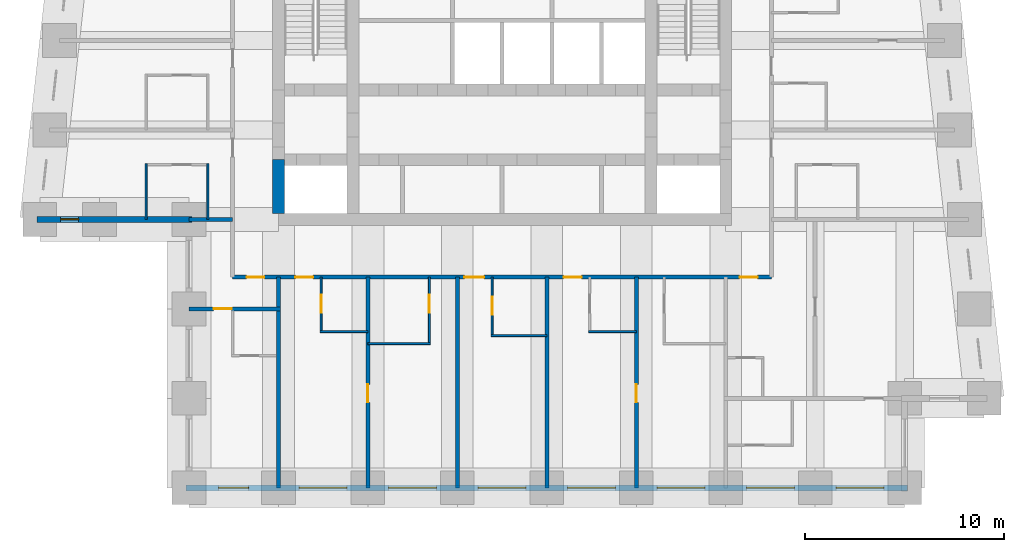
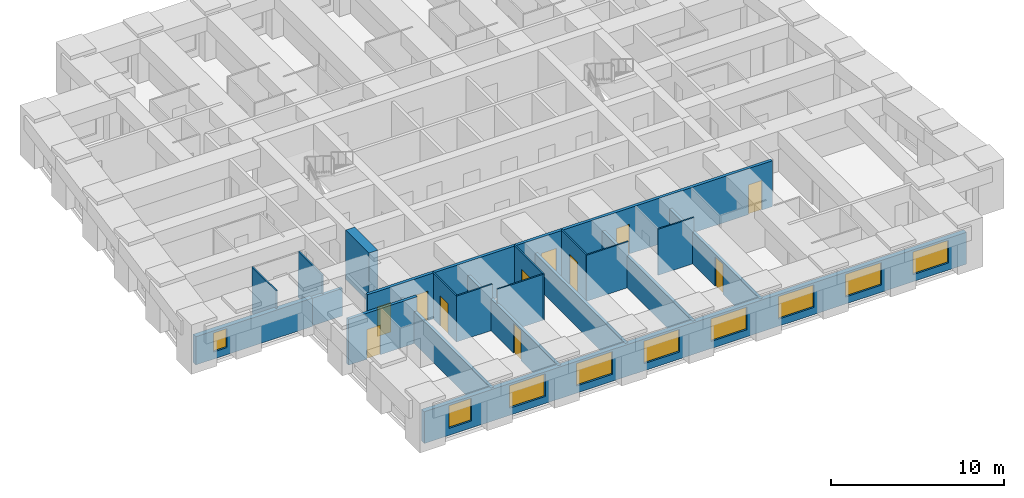
# One storey, part 2 of 8: 20 walls, 11 doors, 9 windows, 20 openings.
"""IFC4 building model written with IfcOpenShell, lengths in metres."""

from ifc_helpers import new_model, si_unit, direction, frame, frame_2d, origin, place, context, subcontext, project, spatial, rectangle, extrude, material, layer, layer_set, type_object, element, fill, save


model = new_model("IFC4")

# Units and contexts
model_context = context("Model", 3, precision=1e-05, world=origin(), true_north=direction((0.0, 1.0)))
body_context = subcontext(model_context, "Body", "Model", "MODEL_VIEW")
ifc_project = project(units=[si_unit("LENGTHUNIT", "METRE"), si_unit("AREAUNIT", "SQUARE_METRE"), si_unit("VOLUMEUNIT", "CUBIC_METRE"), si_unit("PLANEANGLEUNIT", "RADIAN"), si_unit("MASSUNIT", "GRAM", prefix="KILO")], contexts=[model_context])

# Site, building, storey
site_placement = place(None, origin())
site = spatial("IfcSite", under=ifc_project, at=site_placement, CompositionType="ELEMENT")
building_placement = place(site_placement, origin())
building = spatial("IfcBuilding", under=site, at=building_placement, Name="Kilele Tower Hotel", CompositionType="ELEMENT")
storey_placement = place(building_placement, frame((0.0, 0.0, 162.39990234375)))
storey = spatial("IfcBuildingStorey", under=building, at=storey_placement, Name="L41", CompositionType="ELEMENT", Elevation=162.39990234375)

# Wall
ifc_material_1 = material(Name="Moisture-resistant board")
ifc_layer_1 = layer(ifc_material_1, 0.10009765625)
ifc_layer_set_1 = layer_set([ifc_layer_1], Name="Moisture-resistant board")
wall_type_1 = type_object("IfcWallType", Name="Bathroom partition 100", PredefinedType="PLUMBINGWALL", material=ifc_layer_set_1)
wall_1_placement = place(storey_placement, frame((15.60009765625, 7.85009765625, 0.0), z_axis=(0.0, 0.0, 1.0), x_axis=(1.0, 0.0, 0.0)))
element("IfcWall", 1, at=wall_1_placement, inside=storey, type_object=wall_type_1, Name="Bathroom partition 100 L41", PredefinedType="PLUMBINGWALL", context=body_context, shape_type="SweptSolid", body=[
    extrude(rectangle(XDim=2.39990234375, YDim=0.10009765625, at=frame_2d((1.199951171875, 0.0))), origin(), (0.0, 0.0, 1.0), 3.25),
])

# Wall, opening, door
wall_2_placement = place(storey_placement, frame((15.64990234375, 10.60009765625, 0.0), z_axis=(0.0, 0.0, 1.0), x_axis=(0.0, -1.0, 0.0)))
wall_2 = element("IfcWall", 2, at=wall_2_placement, inside=storey, type_object=wall_type_1, Name="Bathroom partition 100 L41", PredefinedType="PLUMBINGWALL", context=body_context, shape_type="SweptSolid", body=[
    extrude(rectangle(XDim=2.800048828125, YDim=0.10009765625, at=frame_2d((1.39990234375, 0.0))), origin(), (0.0, 0.0, 1.0), 3.25),
])
opening_1_placement = place(wall_2_placement, frame((1.7998046875, 0.0, 0.0), z_axis=(0.0, 0.0, 1.0), x_axis=(-1.0, 0.0, 0.0)))
opening_1 = element("IfcOpeningElement", 3, at=opening_1_placement, cuts=wall_2, Name="Opening D2A", PredefinedType="OPENING", context=body_context, shape_type="SweptSolid", body=[
    extrude(rectangle(XDim=0.89990234375, YDim=2.10009765625, at=frame_2d((0.449951171875, 1.050048828125))), frame((0.0, 0.06005859375, 0.0), z_axis=(0.0, -1.0, 0.0), x_axis=(1.0, 0.0, 0.0)), (0.0, 0.0, 1.0), 0.1201171875),
])
ifc_material_2 = material(Name="Timber door leaf in hardwood frame", Category="wood")
door_type_1 = type_object("IfcDoorType", Name="Bathroom door 900", OperationType="SINGLE_SWING_LEFT", PredefinedType="DOOR", material=ifc_material_2)
door_1_placement = place(opening_1_placement, origin())
door_1 = element("IfcDoor", 4, at=door_1_placement, inside=storey, type_object=door_type_1, Name="Bathroom door 4101B", OperationType="SINGLE_SWING_RIGHT", OverallHeight=2.10009765625, OverallWidth=0.89990234375, PredefinedType="DOOR", context=body_context, shape_type="SweptSolid", body=[
    extrude(rectangle(XDim=0.89990234375, YDim=2.10009765625, at=frame_2d((0.449951171875, 1.050048828125))), frame((0.0, 0.02490234375, 0.0), z_axis=(0.0, -1.0, 0.0), x_axis=(1.0, 0.0, 0.0)), (0.0, 0.0, 1.0), 0.050048828125),
])
fill(opening_1, door_1)

# Wall
wall_3_placement = place(storey_placement, frame((18.0, 7.25, 0.0), z_axis=(0.0, 0.0, 1.0), x_axis=(1.0, 0.0, 0.0)))
element("IfcWall", 5, at=wall_3_placement, inside=storey, type_object=wall_type_1, Name="Bathroom partition 100 L41", PredefinedType="PLUMBINGWALL", context=body_context, shape_type="SweptSolid", body=[
    extrude(rectangle(XDim=3.14990234375, YDim=0.10009765625, at=frame_2d((1.574951171875, 0.0))), origin(), (0.0, 0.0, 1.0), 3.25),
])

# Wall, opening, door
wall_4_placement = place(storey_placement, frame((21.10009765625, 10.60009765625, 0.0), z_axis=(0.0, 0.0, 1.0), x_axis=(0.0, -1.0, 0.0)))
wall_4 = element("IfcWall", 6, at=wall_4_placement, inside=storey, type_object=wall_type_1, Name="Bathroom partition 100 L41", PredefinedType="PLUMBINGWALL", context=body_context, shape_type="SweptSolid", body=[
    extrude(rectangle(XDim=3.400146484375, YDim=0.10009765625, at=frame_2d((1.7001953125, 0.0))), origin(), (0.0, 0.0, 1.0), 3.25),
])
opening_2_placement = place(wall_4_placement, frame((0.89990234375, 0.0, 0.0)))
opening_2 = element("IfcOpeningElement", 7, at=opening_2_placement, cuts=wall_4, Name="Opening D2A", PredefinedType="OPENING", context=body_context, shape_type="SweptSolid", body=[
    extrude(rectangle(XDim=0.89990234375, YDim=2.10009765625, at=frame_2d((0.449951171875, 1.050048828125))), frame((0.0, 0.06005859375, 0.0), z_axis=(0.0, -1.0, 0.0), x_axis=(1.0, 0.0, 0.0)), (0.0, 0.0, 1.0), 0.1201171875),
])
door_2_placement = place(opening_2_placement, origin())
door_2 = element("IfcDoor", 8, at=door_2_placement, inside=storey, type_object=door_type_1, Name="Bathroom door 4102B", OperationType="SINGLE_SWING_LEFT", OverallHeight=2.10009765625, OverallWidth=0.89990234375, PredefinedType="DOOR", context=body_context, shape_type="SweptSolid", body=[
    extrude(rectangle(XDim=0.89990234375, YDim=2.10009765625, at=frame_2d((0.449951171875, 1.050048828125))), frame((0.0, 0.02490234375, 0.0), z_axis=(0.0, -1.0, 0.0), x_axis=(1.0, 0.0, 0.0)), (0.0, 0.0, 1.0), 0.050048828125),
])
fill(opening_2, door_2)

# Wall
wall_5_placement = place(storey_placement, frame((24.199951171875, 7.64990234375, 0.0), z_axis=(0.0, 0.0, 1.0), x_axis=(1.0, 0.0, 0.0)))
element("IfcWall", 9, at=wall_5_placement, inside=storey, type_object=wall_type_1, Name="Bathroom partition 100 L41", PredefinedType="PLUMBINGWALL", context=body_context, shape_type="SweptSolid", body=[
    extrude(rectangle(XDim=2.800048828125, YDim=0.10009765625, at=frame_2d((1.39990234375, 0.0))), origin(), (0.0, 0.0, 1.0), 3.25),
])

# Wall, opening, door
wall_6_placement = place(storey_placement, frame((24.25, 10.60009765625, 0.0), z_axis=(0.0, 0.0, 1.0), x_axis=(0.0, -1.0, 0.0)))
wall_6 = element("IfcWall", 10, at=wall_6_placement, inside=storey, type_object=wall_type_1, Name="Bathroom partition 100 L41", PredefinedType="PLUMBINGWALL", context=body_context, shape_type="SweptSolid", body=[
    extrude(rectangle(XDim=3.0, YDim=0.10009765625, at=frame_2d((1.5, 0.0))), origin(), (0.0, 0.0, 1.0), 3.25),
])
opening_3_placement = place(wall_6_placement, frame((1.89990234375, 0.0, 0.0), z_axis=(0.0, 0.0, 1.0), x_axis=(-1.0, 0.0, 0.0)))
opening_3 = element("IfcOpeningElement", 11, at=opening_3_placement, cuts=wall_6, Name="Opening D2A", PredefinedType="OPENING", context=body_context, shape_type="SweptSolid", body=[
    extrude(rectangle(XDim=0.89990234375, YDim=2.10009765625, at=frame_2d((0.449951171875, 1.050048828125))), frame((0.0, 0.06005859375, 0.0), z_axis=(0.0, -1.0, 0.0), x_axis=(1.0, 0.0, 0.0)), (0.0, 0.0, 1.0), 0.1201171875),
])
door_3_placement = place(opening_3_placement, origin())
door_3 = element("IfcDoor", 12, at=door_3_placement, inside=storey, type_object=door_type_1, Name="Bathroom door 4103B", OperationType="SINGLE_SWING_RIGHT", OverallHeight=2.10009765625, OverallWidth=0.89990234375, PredefinedType="DOOR", context=body_context, shape_type="SweptSolid", body=[
    extrude(rectangle(XDim=0.89990234375, YDim=2.10009765625, at=frame_2d((0.449951171875, 1.050048828125))), frame((0.0, 0.02490234375, 0.0), z_axis=(0.0, -1.0, 0.0), x_axis=(1.0, 0.0, 0.0)), (0.0, 0.0, 1.0), 0.050048828125),
])
fill(opening_3, door_3)

# Walls
wall_7_placement = place(storey_placement, frame((29.10009765625, 7.85009765625, 0.0), z_axis=(0.0, 0.0, 1.0), x_axis=(1.0, 0.0, 0.0)))
element("IfcWall", 13, at=wall_7_placement, inside=storey, type_object=wall_type_1, Name="Bathroom partition 100 L41", PredefinedType="PLUMBINGWALL", context=body_context, shape_type="SweptSolid", body=[
    extrude(rectangle(XDim=2.39990234375, YDim=0.10009765625, at=frame_2d((1.199951171875, 0.0))), origin(), (0.0, 0.0, 1.0), 3.25),
])
for number, where, z_axis, x_axis, name in (
    (14, (9.949951171875, 13.5, 0.0), (0.0, 0.0, 1.0), (0.0, 1.0, 0.0), "Bathroom partition 100 L41"),
    (15, (6.85009765625, 13.5, 0.0), (0.0, 0.0, 1.0), (0.0, 1.0, 0.0), "Bathroom partition 100 L41"),
):
    element("IfcWall", number, at=place(storey_placement, frame(where, z_axis=z_axis, x_axis=x_axis)), inside=storey, type_object=wall_type_1, Name=name, PredefinedType="PLUMBINGWALL", context=body_context, shape_type="SweptSolid", body=[
        extrude(rectangle(XDim=2.800048828125, YDim=0.10009765625, at=frame_2d((1.39990234375, 0.0))), origin(), (0.0, 0.0, 1.0), 3.25),
    ])
ifc_material_3 = material(Name="Concrete C70/85", Category="concrete")
ifc_layer_2 = layer(ifc_material_3, 0.60009765625)
ifc_layer_set_2 = layer_set([ifc_layer_2], Name="Concrete C70/85")
wall_type_2 = type_object("IfcWallType", Name="Core wall 600 C70/85", PredefinedType="SHEAR", material=ifc_layer_set_2)
wall_8_placement = place(storey_placement, frame((13.5, 16.5, 0.0), z_axis=(0.0, 0.0, 1.0), x_axis=(0.0, -1.0, 0.0)))
element("IfcWall", 16, at=wall_8_placement, inside=storey, type_object=wall_type_2, Name="Core wall W3 L41", PredefinedType="SHEAR", context=body_context, shape_type="SweptSolid", body=[
    extrude(rectangle(XDim=2.699951171875, YDim=0.60009765625, at=frame_2d((1.35009765625, 0.0))), origin(), (0.0, 0.0, 1.0), 3.5),
])

# Wall, openings, doors
ifc_material_4 = material(Name="Blockwork, plastered both sides", Category="masonry")
ifc_layer_3 = layer(ifc_material_4, 0.199951171875)
ifc_layer_set_3 = layer_set([ifc_layer_3], Name="Blockwork, plastered both sides")
wall_type_3 = type_object("IfcWallType", Name="Corridor wall 200", PredefinedType="PARTITIONING", material=ifc_layer_set_3)
wall_9_placement = place(storey_placement, frame((11.199951171875, 10.60009765625, 0.0), z_axis=(0.0, 0.0, 1.0), x_axis=(1.0, 0.0, 0.0)))
wall_9 = element("IfcWall", 17, at=wall_9_placement, inside=storey, type_object=wall_type_3, Name="Corridor wall 200 L41", PredefinedType="PARTITIONING", context=body_context, shape_type="SweptSolid", body=[
    extrude(rectangle(XDim=27.10009765625, YDim=0.199951171875, at=frame_2d((13.550048828125, 0.0))), origin(), (0.0, 0.0, 1.0), 3.25),
])
opening_4_placement = place(wall_9_placement, frame((4.0498046875, 0.0, 0.0), z_axis=(0.0, 0.0, 1.0), x_axis=(-1.0, 0.0, 0.0)))
opening_4 = element("IfcOpeningElement", 18, at=opening_4_placement, cuts=wall_9, Name="Opening D1", PredefinedType="OPENING", context=body_context, shape_type="SweptSolid", body=[
    extrude(rectangle(XDim=0.89990234375, YDim=2.10009765625, at=frame_2d((0.449951171875, 1.050048828125))), frame((0.0, 0.10986328125, 0.0), z_axis=(0.0, -1.0, 0.0), x_axis=(1.0, 0.0, 0.0)), (0.0, 0.0, 1.0), 0.219970703125),
])
opening_5_placement = place(wall_9_placement, frame((12.64990234375, 0.0, 0.0), z_axis=(0.0, 0.0, 1.0), x_axis=(-1.0, 0.0, 0.0)))
opening_5 = element("IfcOpeningElement", 19, at=opening_5_placement, cuts=wall_9, Name="Opening D1A", PredefinedType="OPENING", context=body_context, shape_type="SweptSolid", body=[
    extrude(rectangle(XDim=1.0, YDim=2.10009765625, at=frame_2d((0.5, 1.050048828125))), frame((0.0, 0.10986328125, 0.0), z_axis=(0.0, -1.0, 0.0), x_axis=(1.0, 0.0, 0.0)), (0.0, 0.0, 1.0), 0.219970703125),
])
opening_6_placement = place(wall_9_placement, frame((17.5498046875, 0.0, 0.0), z_axis=(0.0, 0.0, 1.0), x_axis=(-1.0, 0.0, 0.0)))
opening_6 = element("IfcOpeningElement", 20, at=opening_6_placement, cuts=wall_9, Name="Opening D1", PredefinedType="OPENING", context=body_context, shape_type="SweptSolid", body=[
    extrude(rectangle(XDim=0.89990234375, YDim=2.10009765625, at=frame_2d((0.449951171875, 1.050048828125))), frame((0.0, 0.10986328125, 0.0), z_axis=(0.0, -1.0, 0.0), x_axis=(1.0, 0.0, 0.0)), (0.0, 0.0, 1.0), 0.219970703125),
])
opening_7_placement = place(wall_9_placement, frame((1.599853515625, 0.0, 0.0), z_axis=(0.0, 0.0, 1.0), x_axis=(-1.0, 0.0, 0.0)))
opening_7 = element("IfcOpeningElement", 21, at=opening_7_placement, cuts=wall_9, Name="Opening D1", PredefinedType="OPENING", context=body_context, shape_type="SweptSolid", body=[
    extrude(rectangle(XDim=0.89990234375, YDim=2.10009765625, at=frame_2d((0.449951171875, 1.050048828125))), frame((0.0, 0.10986328125, 0.0), z_axis=(0.0, -1.0, 0.0), x_axis=(1.0, 0.0, 0.0)), (0.0, 0.0, 1.0), 0.219970703125),
])
opening_8_placement = place(wall_9_placement, frame((26.39990234375, 0.0, 0.0), z_axis=(0.0, 0.0, 1.0), x_axis=(-1.0, 0.0, 0.0)))
opening_8 = element("IfcOpeningElement", 22, at=opening_8_placement, cuts=wall_9, Name="Opening D1", PredefinedType="OPENING", context=body_context, shape_type="SweptSolid", body=[
    extrude(rectangle(XDim=0.89990234375, YDim=2.10009765625, at=frame_2d((0.449951171875, 1.050048828125))), frame((0.0, 0.10986328125, 0.0), z_axis=(0.0, -1.0, 0.0), x_axis=(1.0, 0.0, 0.0)), (0.0, 0.0, 1.0), 0.219970703125),
])
ifc_material_5 = material(Name="Timber door leaf in hardwood frame", Category="wood")
door_type_2 = type_object("IfcDoorType", Name="Guest room entrance door 1000", OperationType="SINGLE_SWING_LEFT", PredefinedType="DOOR", material=ifc_material_5)
door_4_placement = place(opening_5_placement, origin())
door_4 = element("IfcDoor", 23, at=door_4_placement, inside=storey, type_object=door_type_2, Name="Room entrance 4103", OperationType="SINGLE_SWING_RIGHT", OverallHeight=2.10009765625, OverallWidth=1.0, PredefinedType="DOOR", context=body_context, shape_type="SweptSolid", body=[
    extrude(rectangle(XDim=1.0, YDim=2.10009765625, at=frame_2d((0.5, 1.050048828125))), frame((0.0, 0.02490234375, 0.0), z_axis=(0.0, -1.0, 0.0), x_axis=(1.0, 0.0, 0.0)), (0.0, 0.0, 1.0), 0.050048828125),
])
fill(opening_5, door_4)
ifc_material_6 = material(Name="Timber door leaf in hardwood frame", Category="wood")
door_type_3 = type_object("IfcDoorType", Name="Guest room entrance door 900", OperationType="SINGLE_SWING_LEFT", PredefinedType="DOOR", material=ifc_material_6)
door_5_placement = place(opening_4_placement, origin())
door_5 = element("IfcDoor", 24, at=door_5_placement, inside=storey, type_object=door_type_3, Name="Room entrance 4101", OperationType="SINGLE_SWING_LEFT", OverallHeight=2.10009765625, OverallWidth=0.89990234375, PredefinedType="DOOR", context=body_context, shape_type="SweptSolid", body=[
    extrude(rectangle(XDim=0.89990234375, YDim=2.10009765625, at=frame_2d((0.449951171875, 1.050048828125))), frame((0.0, 0.02490234375, 0.0), z_axis=(0.0, -1.0, 0.0), x_axis=(1.0, 0.0, 0.0)), (0.0, 0.0, 1.0), 0.050048828125),
])
fill(opening_4, door_5)
door_6_placement = place(opening_6_placement, origin())
door_6 = element("IfcDoor", 25, at=door_6_placement, inside=storey, type_object=door_type_3, Name="Room entrance 4104", OperationType="SINGLE_SWING_LEFT", OverallHeight=2.10009765625, OverallWidth=0.89990234375, PredefinedType="DOOR", context=body_context, shape_type="SweptSolid", body=[
    extrude(rectangle(XDim=0.89990234375, YDim=2.10009765625, at=frame_2d((0.449951171875, 1.050048828125))), frame((0.0, 0.02490234375, 0.0), z_axis=(0.0, -1.0, 0.0), x_axis=(1.0, 0.0, 0.0)), (0.0, 0.0, 1.0), 0.050048828125),
])
fill(opening_6, door_6)
door_7_placement = place(opening_7_placement, origin())
door_7 = element("IfcDoor", 26, at=door_7_placement, inside=storey, type_object=door_type_3, Name="Room entrance 4117", OperationType="SINGLE_SWING_LEFT", OverallHeight=2.10009765625, OverallWidth=0.89990234375, PredefinedType="DOOR", context=body_context, shape_type="SweptSolid", body=[
    extrude(rectangle(XDim=0.89990234375, YDim=2.10009765625, at=frame_2d((0.449951171875, 1.050048828125))), frame((0.0, 0.02490234375, 0.0), z_axis=(0.0, -1.0, 0.0), x_axis=(1.0, 0.0, 0.0)), (0.0, 0.0, 1.0), 0.050048828125),
])
fill(opening_7, door_7)
door_8_placement = place(opening_8_placement, origin())
door_8 = element("IfcDoor", 27, at=door_8_placement, inside=storey, type_object=door_type_3, Name="Room entrance 4119", OperationType="SINGLE_SWING_RIGHT", OverallHeight=2.10009765625, OverallWidth=0.89990234375, PredefinedType="DOOR", context=body_context, shape_type="SweptSolid", body=[
    extrude(rectangle(XDim=0.89990234375, YDim=2.10009765625, at=frame_2d((0.449951171875, 1.050048828125))), frame((0.0, 0.02490234375, 0.0), z_axis=(0.0, -1.0, 0.0), x_axis=(1.0, 0.0, 0.0)), (0.0, 0.0, 1.0), 0.050048828125),
])
fill(opening_8, door_8)

# Wall, opening, door
ifc_material_7 = material(Name="Blockwork, plastered both sides", Category="masonry")
ifc_layer_4 = layer(ifc_material_7, 0.199951171875)
ifc_layer_set_4 = layer_set([ifc_layer_4], Name="Blockwork, plastered both sides")
wall_type_4 = type_object("IfcWallType", Name="Party wall 200", PredefinedType="PARTITIONING", material=ifc_layer_set_4)
wall_10_placement = place(storey_placement, frame((18.0, 10.60009765625, 0.0), z_axis=(0.0, 0.0, 1.0), x_axis=(0.0, -1.0, 0.0)))
wall_10 = element("IfcWall", 28, at=wall_10_placement, inside=storey, type_object=wall_type_4, Name="Party wall 200 L41", PredefinedType="PARTITIONING", context=body_context, shape_type="SweptSolid", body=[
    extrude(rectangle(XDim=10.60009765625, YDim=0.199951171875, at=frame_2d((5.300048828125, 0.0))), origin(), (0.0, 0.0, 1.0), 2.25),
])
opening_9_placement = place(wall_10_placement, frame((5.39990234375, 0.0, 0.0)))
opening_9 = element("IfcOpeningElement", 29, at=opening_9_placement, cuts=wall_10, Name="Opening D3", PredefinedType="OPENING", context=body_context, shape_type="SweptSolid", body=[
    extrude(rectangle(XDim=0.89990234375, YDim=2.10009765625, at=frame_2d((0.449951171875, 1.050048828125))), frame((0.0, 0.10986328125, 0.0), z_axis=(0.0, -1.0, 0.0), x_axis=(1.0, 0.0, 0.0)), (0.0, 0.0, 1.0), 0.219970703125),
])
ifc_material_8 = material(Name="Timber door leaf in hardwood frame", Category="wood")
door_type_4 = type_object("IfcDoorType", Name="Suite internal door 900", OperationType="SINGLE_SWING_LEFT", PredefinedType="DOOR", material=ifc_material_8)
door_9_placement = place(opening_9_placement, origin())
door_9 = element("IfcDoor", 30, at=door_9_placement, inside=storey, type_object=door_type_4, Name="Suite door 4102", OperationType="SINGLE_SWING_RIGHT", OverallHeight=2.10009765625, OverallWidth=0.89990234375, PredefinedType="DOOR", context=body_context, shape_type="SweptSolid", body=[
    extrude(rectangle(XDim=0.89990234375, YDim=2.10009765625, at=frame_2d((0.449951171875, 1.050048828125))), frame((0.0, 0.02490234375, 0.0), z_axis=(0.0, -1.0, 0.0), x_axis=(1.0, 0.0, 0.0)), (0.0, 0.0, 1.0), 0.050048828125),
])
fill(opening_9, door_9)

# Walls
for number, where, z_axis, x_axis, name in (
    (31, (22.5, 10.60009765625, 0.0), (0.0, 0.0, 1.0), (0.0, -1.0, 0.0), "Party wall 200 L41"),
    (32, (27.0, 10.60009765625, 0.0), (0.0, 0.0, 1.0), (0.0, -1.0, 0.0), "Party wall 200 L41"),
):
    element("IfcWall", number, at=place(storey_placement, frame(where, z_axis=z_axis, x_axis=x_axis)), inside=storey, type_object=wall_type_4, Name=name, PredefinedType="PARTITIONING", context=body_context, shape_type="SweptSolid", body=[
        extrude(rectangle(XDim=10.60009765625, YDim=0.199951171875, at=frame_2d((5.300048828125, 0.0))), origin(), (0.0, 0.0, 1.0), 2.25),
    ])

# Wall, opening, door
wall_11_placement = place(storey_placement, frame((31.5, 10.60009765625, 0.0), z_axis=(0.0, 0.0, 1.0), x_axis=(0.0, -1.0, 0.0)))
wall_11 = element("IfcWall", 33, at=wall_11_placement, inside=storey, type_object=wall_type_4, Name="Party wall 200 L41", PredefinedType="PARTITIONING", context=body_context, shape_type="SweptSolid", body=[
    extrude(rectangle(XDim=10.60009765625, YDim=0.199951171875, at=frame_2d((5.300048828125, 0.0))), origin(), (0.0, 0.0, 1.0), 2.25),
])
opening_10_placement = place(wall_11_placement, frame((5.39990234375, 0.0, 0.0)))
opening_10 = element("IfcOpeningElement", 34, at=opening_10_placement, cuts=wall_11, Name="Opening D3", PredefinedType="OPENING", context=body_context, shape_type="SweptSolid", body=[
    extrude(rectangle(XDim=0.89990234375, YDim=2.10009765625, at=frame_2d((0.449951171875, 1.050048828125))), frame((0.0, 0.10986328125, 0.0), z_axis=(0.0, -1.0, 0.0), x_axis=(1.0, 0.0, 0.0)), (0.0, 0.0, 1.0), 0.219970703125),
])
door_10_placement = place(opening_10_placement, origin())
door_10 = element("IfcDoor", 35, at=door_10_placement, inside=storey, type_object=door_type_4, Name="Suite door 4105", OperationType="SINGLE_SWING_RIGHT", OverallHeight=2.10009765625, OverallWidth=0.89990234375, PredefinedType="DOOR", context=body_context, shape_type="SweptSolid", body=[
    extrude(rectangle(XDim=0.89990234375, YDim=2.10009765625, at=frame_2d((0.449951171875, 1.050048828125))), frame((0.0, 0.02490234375, 0.0), z_axis=(0.0, -1.0, 0.0), x_axis=(1.0, 0.0, 0.0)), (0.0, 0.0, 1.0), 0.050048828125),
])
fill(opening_10, door_10)

# Walls
wall_12_placement = place(storey_placement, frame((11.199951171875, 13.5, 0.0), z_axis=(0.0, 0.0, 1.0), x_axis=(-1.0, 0.0, 0.0)))
element("IfcWall", 36, at=wall_12_placement, inside=storey, type_object=wall_type_4, Name="Party wall 200 L41", PredefinedType="PARTITIONING", context=body_context, shape_type="SweptSolid", body=[
    extrude(rectangle(XDim=2.199951171875, YDim=0.199951171875, at=frame_2d((1.10009765625, 0.0))), origin(), (0.0, 0.0, 1.0), 1.9501953125),
])
wall_13_placement = place(storey_placement, frame((13.5, 10.60009765625, 0.0), z_axis=(0.0, 0.0, 1.0), x_axis=(0.0, -1.0, 0.0)))
element("IfcWall", 37, at=wall_13_placement, inside=storey, type_object=wall_type_4, Name="Party wall 200 L41", PredefinedType="PARTITIONING", context=body_context, shape_type="SweptSolid", body=[
    extrude(rectangle(XDim=10.60009765625, YDim=0.199951171875, at=frame_2d((5.300048828125, 0.0))), origin(), (0.0, 0.0, 1.0), 2.25),
])

# Wall, opening, door
wall_14_placement = place(storey_placement, frame((13.60009765625, 9.0, 0.0), z_axis=(0.0, 0.0, 1.0), x_axis=(-1.0, 0.0, 0.0)))
wall_14 = element("IfcWall", 38, at=wall_14_placement, inside=storey, type_object=wall_type_4, Name="Party wall 200 L41", PredefinedType="PARTITIONING", context=body_context, shape_type="SweptSolid", body=[
    extrude(rectangle(XDim=4.60009765625, YDim=0.199951171875, at=frame_2d((2.300048828125, 0.0))), origin(), (0.0, 0.0, 1.0), 3.25),
])
opening_11_placement = place(wall_14_placement, frame((2.450927734375, 0.0, 0.0)))
opening_11 = element("IfcOpeningElement", 39, at=opening_11_placement, cuts=wall_14, Name="Opening D3", PredefinedType="OPENING", context=body_context, shape_type="SweptSolid", body=[
    extrude(rectangle(XDim=0.89990234375, YDim=2.10009765625, at=frame_2d((0.449951171875, 1.050048828125))), frame((0.0, 0.10986328125, 0.0), z_axis=(0.0, -1.0, 0.0), x_axis=(1.0, 0.0, 0.0)), (0.0, 0.0, 1.0), 0.219970703125),
])
door_11_placement = place(opening_11_placement, origin())
door_11 = element("IfcDoor", 40, at=door_11_placement, inside=storey, type_object=door_type_4, Name="Suite door 4118", OperationType="SINGLE_SWING_LEFT", OverallHeight=2.10009765625, OverallWidth=0.89990234375, PredefinedType="DOOR", context=body_context, shape_type="SweptSolid", body=[
    extrude(rectangle(XDim=0.89990234375, YDim=2.10009765625, at=frame_2d((0.449951171875, 1.050048828125))), frame((0.0, 0.02490234375, 0.0), z_axis=(0.0, -1.0, 0.0), x_axis=(1.0, 0.0, 0.0)), (0.0, 0.0, 1.0), 0.050048828125),
])
fill(opening_11, door_11)

# Wall, opening, window
ifc_material_9 = material(Name="Concrete C40/50 precast", Category="concrete")
ifc_layer_5 = layer(ifc_material_9, 0.260009765625, Name="Precast backing", Category="LoadBearing")
ifc_material_10 = material(Name="Reconstituted stone finish", Category="masonry")
ifc_layer_6 = layer(ifc_material_10, 0.0400390625, Name="Face mix", Category="Finish")
ifc_layer_set_5 = layer_set([ifc_layer_5, ifc_layer_6], Name="Precast concrete C40/50, reconstituted stone finish")
wall_type_5 = type_object("IfcWallType", Name="Precast stone facade wall 300", PredefinedType="STANDARD", material=ifc_layer_set_5)
wall_15_placement = place(storey_placement, frame((1.35009765625, 13.5, 0.0), z_axis=(0.0, 0.0, 1.0), x_axis=(1.0, 0.0, 0.0)))
wall_15 = element("IfcWall", 41, at=wall_15_placement, inside=storey, type_object=wall_type_5, Name="Facade wall L41 edge 1", PredefinedType="STANDARD", context=body_context, shape_type="SweptSolid", body=[
    extrude(rectangle(XDim=7.7998046875, YDim=0.300048828125, at=frame_2d((3.89990234375, 0.0))), origin(), (0.0, 0.0, 1.0), 2.0),
])
opening_12_placement = place(wall_15_placement, frame((1.199951171875, 0.0, 0.5)))
opening_12 = element("IfcOpeningElement", 42, at=opening_12_placement, cuts=wall_15, Name="Opening W3", PredefinedType="OPENING", context=body_context, shape_type="SweptSolid", body=[
    extrude(rectangle(XDim=0.89990234375, YDim=1.35009765625, at=frame_2d((0.449951171875, 0.675048828125))), frame((0.0, 0.159912109375, 0.0), z_axis=(0.0, -1.0, 0.0), x_axis=(1.0, 0.0, 0.0)), (0.0, 0.0, 1.0), 0.320068359375),
])
ifc_material_11 = material(Name="Aluminium frame, clear double glazing", Category="aluminium")
window_type_1 = type_object("IfcWindowType", Name="Window W3 900 x 1350", PartitioningType="SINGLE_PANEL", PredefinedType="WINDOW", material=ifc_material_11)
window_1_placement = place(opening_12_placement, origin())
window_1 = element("IfcWindow", 43, at=window_1_placement, inside=storey, type_object=window_type_1, Name="Window L41", OverallHeight=1.35009765625, OverallWidth=0.89990234375, PartitioningType="SINGLE_PANEL", PredefinedType="WINDOW", context=body_context, shape_type="SweptSolid", body=[
    extrude(rectangle(XDim=0.89990234375, YDim=1.35009765625, at=frame_2d((0.449951171875, 0.675048828125))), frame((0.0, 0.030029296875, 0.0), z_axis=(0.0, -1.0, 0.0), x_axis=(1.0, 0.0, 0.0)), (0.0, 0.0, 1.0), 0.06005859375),
])
fill(opening_12, window_1)

# Wall, openings, windows
wall_16_placement = place(storey_placement, frame((8.85009765625, 0.0, 0.0), z_axis=(0.0, 0.0, 1.0), x_axis=(1.0, 0.0, 0.0)))
wall_16 = element("IfcWall", 44, at=wall_16_placement, inside=storey, type_object=wall_type_5, Name="Facade wall L41 edge 3", PredefinedType="STANDARD", context=body_context, shape_type="SweptSolid", body=[
    extrude(rectangle(XDim=36.2998046875, YDim=0.300048828125, at=frame_2d((18.14990234375, 0.0))), origin(), (0.0, 0.0, 1.0), 2.25),
])
opening_13_placement = place(wall_16_placement, frame((1.64990234375, 0.0, 0.5)))
opening_13 = element("IfcOpeningElement", 45, at=opening_13_placement, cuts=wall_16, Name="Opening W3", PredefinedType="OPENING", context=body_context, shape_type="SweptSolid", body=[
    extrude(rectangle(XDim=1.5, YDim=1.60009765625, at=frame_2d((0.75, 0.800048828125))), frame((0.0, 0.159912109375, 0.0), z_axis=(0.0, -1.0, 0.0), x_axis=(1.0, 0.0, 0.0)), (0.0, 0.0, 1.0), 0.320068359375),
])
opening_14_placement = place(wall_16_placement, frame((5.699951171875, 0.0, 0.5)))
opening_14 = element("IfcOpeningElement", 46, at=opening_14_placement, cuts=wall_16, Name="Opening W3", PredefinedType="OPENING", context=body_context, shape_type="SweptSolid", body=[
    extrude(rectangle(XDim=2.39990234375, YDim=1.60009765625, at=frame_2d((1.199951171875, 0.800048828125))), frame((0.0, 0.159912109375, 0.0), z_axis=(0.0, -1.0, 0.0), x_axis=(1.0, 0.0, 0.0)), (0.0, 0.0, 1.0), 0.320068359375),
])
opening_15_placement = place(wall_16_placement, frame((10.199951171875, 0.0, 0.5)))
opening_15 = element("IfcOpeningElement", 47, at=opening_15_placement, cuts=wall_16, Name="Opening W3", PredefinedType="OPENING", context=body_context, shape_type="SweptSolid", body=[
    extrude(rectangle(XDim=2.39990234375, YDim=1.60009765625, at=frame_2d((1.199951171875, 0.800048828125))), frame((0.0, 0.159912109375, 0.0), z_axis=(0.0, -1.0, 0.0), x_axis=(1.0, 0.0, 0.0)), (0.0, 0.0, 1.0), 0.320068359375),
])
opening_16_placement = place(wall_16_placement, frame((14.699951171875, 0.0, 0.5)))
opening_16 = element("IfcOpeningElement", 48, at=opening_16_placement, cuts=wall_16, Name="Opening W3", PredefinedType="OPENING", context=body_context, shape_type="SweptSolid", body=[
    extrude(rectangle(XDim=2.39990234375, YDim=1.60009765625, at=frame_2d((1.199951171875, 0.800048828125))), frame((0.0, 0.159912109375, 0.0), z_axis=(0.0, -1.0, 0.0), x_axis=(1.0, 0.0, 0.0)), (0.0, 0.0, 1.0), 0.320068359375),
])
opening_17_placement = place(wall_16_placement, frame((19.199951171875, 0.0, 0.5)))
opening_17 = element("IfcOpeningElement", 49, at=opening_17_placement, cuts=wall_16, Name="Opening W3", PredefinedType="OPENING", context=body_context, shape_type="SweptSolid", body=[
    extrude(rectangle(XDim=2.39990234375, YDim=1.60009765625, at=frame_2d((1.199951171875, 0.800048828125))), frame((0.0, 0.159912109375, 0.0), z_axis=(0.0, -1.0, 0.0), x_axis=(1.0, 0.0, 0.0)), (0.0, 0.0, 1.0), 0.320068359375),
])
opening_18_placement = place(wall_16_placement, frame((23.699951171875, 0.0, 0.5)))
opening_18 = element("IfcOpeningElement", 50, at=opening_18_placement, cuts=wall_16, Name="Opening W3", PredefinedType="OPENING", context=body_context, shape_type="SweptSolid", body=[
    extrude(rectangle(XDim=2.39990234375, YDim=1.60009765625, at=frame_2d((1.199951171875, 0.800048828125))), frame((0.0, 0.159912109375, 0.0), z_axis=(0.0, -1.0, 0.0), x_axis=(1.0, 0.0, 0.0)), (0.0, 0.0, 1.0), 0.320068359375),
])
opening_19_placement = place(wall_16_placement, frame((28.199951171875, 0.0, 0.5)))
opening_19 = element("IfcOpeningElement", 51, at=opening_19_placement, cuts=wall_16, Name="Opening W3", PredefinedType="OPENING", context=body_context, shape_type="SweptSolid", body=[
    extrude(rectangle(XDim=2.39990234375, YDim=1.60009765625, at=frame_2d((1.199951171875, 0.800048828125))), frame((0.0, 0.159912109375, 0.0), z_axis=(0.0, -1.0, 0.0), x_axis=(1.0, 0.0, 0.0)), (0.0, 0.0, 1.0), 0.320068359375),
])
opening_20_placement = place(wall_16_placement, frame((32.699951171875, 0.0, 0.5)))
opening_20 = element("IfcOpeningElement", 52, at=opening_20_placement, cuts=wall_16, Name="Opening W3", PredefinedType="OPENING", context=body_context, shape_type="SweptSolid", body=[
    extrude(rectangle(XDim=2.39990234375, YDim=1.60009765625, at=frame_2d((1.199951171875, 0.800048828125))), frame((0.0, 0.159912109375, 0.0), z_axis=(0.0, -1.0, 0.0), x_axis=(1.0, 0.0, 0.0)), (0.0, 0.0, 1.0), 0.320068359375),
])
ifc_material_12 = material(Name="Aluminium frame, clear double glazing", Category="aluminium")
window_type_2 = type_object("IfcWindowType", Name="Window W3 1500 x 1600", PartitioningType="SINGLE_PANEL", PredefinedType="WINDOW", material=ifc_material_12)
window_2_placement = place(opening_13_placement, origin())
window_2 = element("IfcWindow", 53, at=window_2_placement, inside=storey, type_object=window_type_2, Name="Window L41", OverallHeight=1.60009765625, OverallWidth=1.5, PartitioningType="SINGLE_PANEL", PredefinedType="WINDOW", context=body_context, shape_type="SweptSolid", body=[
    extrude(rectangle(XDim=1.5, YDim=1.60009765625, at=frame_2d((0.75, 0.800048828125))), frame((0.0, 0.030029296875, 0.0), z_axis=(0.0, -1.0, 0.0), x_axis=(1.0, 0.0, 0.0)), (0.0, 0.0, 1.0), 0.06005859375),
])
fill(opening_13, window_2)
ifc_material_13 = material(Name="Aluminium frame, clear double glazing", Category="aluminium")
window_type_3 = type_object("IfcWindowType", Name="Window W3 2400 x 1600", PartitioningType="SINGLE_PANEL", PredefinedType="WINDOW", material=ifc_material_13)
window_3_placement = place(opening_14_placement, origin())
window_3 = element("IfcWindow", 54, at=window_3_placement, inside=storey, type_object=window_type_3, Name="Window L41", OverallHeight=1.60009765625, OverallWidth=2.39990234375, PartitioningType="SINGLE_PANEL", PredefinedType="WINDOW", context=body_context, shape_type="SweptSolid", body=[
    extrude(rectangle(XDim=2.39990234375, YDim=1.60009765625, at=frame_2d((1.199951171875, 0.800048828125))), frame((0.0, 0.030029296875, 0.0), z_axis=(0.0, -1.0, 0.0), x_axis=(1.0, 0.0, 0.0)), (0.0, 0.0, 1.0), 0.06005859375),
])
fill(opening_14, window_3)
window_4_placement = place(opening_15_placement, origin())
window_4 = element("IfcWindow", 55, at=window_4_placement, inside=storey, type_object=window_type_3, Name="Window L41", OverallHeight=1.60009765625, OverallWidth=2.39990234375, PartitioningType="SINGLE_PANEL", PredefinedType="WINDOW", context=body_context, shape_type="SweptSolid", body=[
    extrude(rectangle(XDim=2.39990234375, YDim=1.60009765625, at=frame_2d((1.199951171875, 0.800048828125))), frame((0.0, 0.030029296875, 0.0), z_axis=(0.0, -1.0, 0.0), x_axis=(1.0, 0.0, 0.0)), (0.0, 0.0, 1.0), 0.06005859375),
])
fill(opening_15, window_4)
window_5_placement = place(opening_16_placement, origin())
window_5 = element("IfcWindow", 56, at=window_5_placement, inside=storey, type_object=window_type_3, Name="Window L41", OverallHeight=1.60009765625, OverallWidth=2.39990234375, PartitioningType="SINGLE_PANEL", PredefinedType="WINDOW", context=body_context, shape_type="SweptSolid", body=[
    extrude(rectangle(XDim=2.39990234375, YDim=1.60009765625, at=frame_2d((1.199951171875, 0.800048828125))), frame((0.0, 0.030029296875, 0.0), z_axis=(0.0, -1.0, 0.0), x_axis=(1.0, 0.0, 0.0)), (0.0, 0.0, 1.0), 0.06005859375),
])
fill(opening_16, window_5)
window_6_placement = place(opening_17_placement, origin())
window_6 = element("IfcWindow", 57, at=window_6_placement, inside=storey, type_object=window_type_3, Name="Window L41", OverallHeight=1.60009765625, OverallWidth=2.39990234375, PartitioningType="SINGLE_PANEL", PredefinedType="WINDOW", context=body_context, shape_type="SweptSolid", body=[
    extrude(rectangle(XDim=2.39990234375, YDim=1.60009765625, at=frame_2d((1.199951171875, 0.800048828125))), frame((0.0, 0.030029296875, 0.0), z_axis=(0.0, -1.0, 0.0), x_axis=(1.0, 0.0, 0.0)), (0.0, 0.0, 1.0), 0.06005859375),
])
fill(opening_17, window_6)
window_7_placement = place(opening_18_placement, origin())
window_7 = element("IfcWindow", 58, at=window_7_placement, inside=storey, type_object=window_type_3, Name="Window L41", OverallHeight=1.60009765625, OverallWidth=2.39990234375, PartitioningType="SINGLE_PANEL", PredefinedType="WINDOW", context=body_context, shape_type="SweptSolid", body=[
    extrude(rectangle(XDim=2.39990234375, YDim=1.60009765625, at=frame_2d((1.199951171875, 0.800048828125))), frame((0.0, 0.030029296875, 0.0), z_axis=(0.0, -1.0, 0.0), x_axis=(1.0, 0.0, 0.0)), (0.0, 0.0, 1.0), 0.06005859375),
])
fill(opening_18, window_7)
window_8_placement = place(opening_19_placement, origin())
window_8 = element("IfcWindow", 59, at=window_8_placement, inside=storey, type_object=window_type_3, Name="Window L41", OverallHeight=1.60009765625, OverallWidth=2.39990234375, PartitioningType="SINGLE_PANEL", PredefinedType="WINDOW", context=body_context, shape_type="SweptSolid", body=[
    extrude(rectangle(XDim=2.39990234375, YDim=1.60009765625, at=frame_2d((1.199951171875, 0.800048828125))), frame((0.0, 0.030029296875, 0.0), z_axis=(0.0, -1.0, 0.0), x_axis=(1.0, 0.0, 0.0)), (0.0, 0.0, 1.0), 0.06005859375),
])
fill(opening_19, window_8)
window_9_placement = place(opening_20_placement, origin())
window_9 = element("IfcWindow", 60, at=window_9_placement, inside=storey, type_object=window_type_3, Name="Window L41", OverallHeight=1.60009765625, OverallWidth=2.39990234375, PartitioningType="SINGLE_PANEL", PredefinedType="WINDOW", context=body_context, shape_type="SweptSolid", body=[
    extrude(rectangle(XDim=2.39990234375, YDim=1.60009765625, at=frame_2d((1.199951171875, 0.800048828125))), frame((0.0, 0.030029296875, 0.0), z_axis=(0.0, -1.0, 0.0), x_axis=(1.0, 0.0, 0.0)), (0.0, 0.0, 1.0), 0.06005859375),
])
fill(opening_20, window_9)

save(model, "model.ifc")
